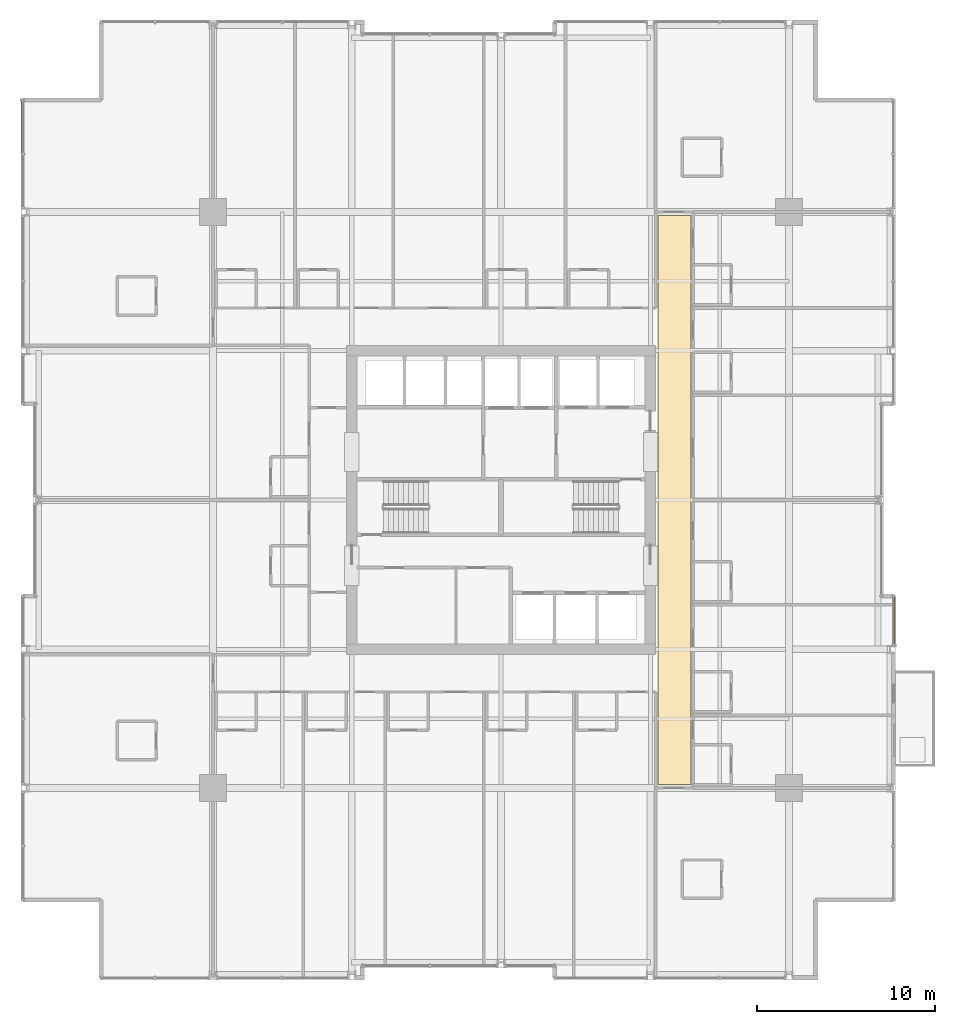
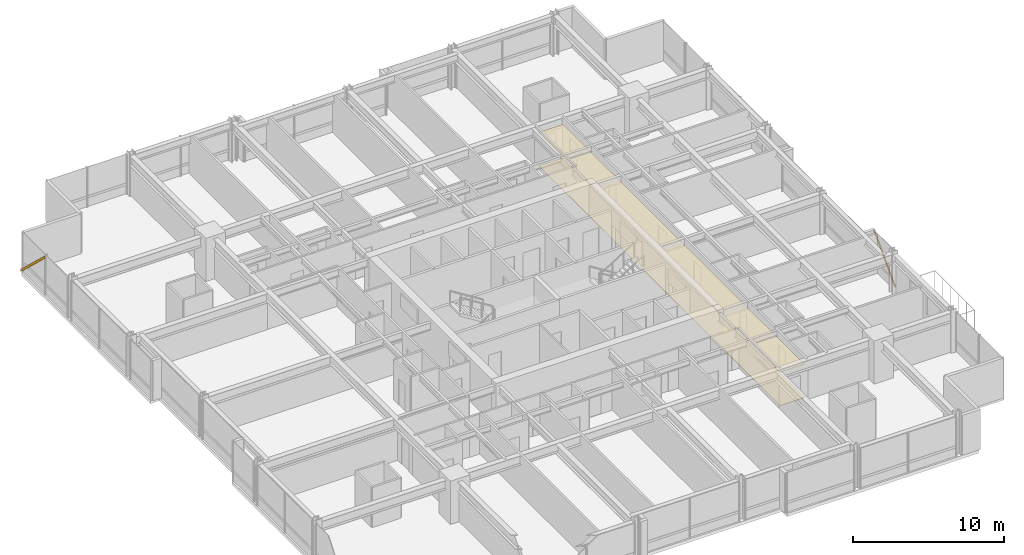
# One storey, part 34 of 34: 2 coverings, 2 shading devices.
"""IFC4 building model written with IfcOpenShell, lengths in metres."""

from ifc_helpers import new_model, si_unit, direction, frame, origin, origin_2d, place, context, subcontext, project, spatial, polyline, hollow_rectangle, outline, extrude, material, layer, layer_set, material_profile, profile_set, type_object, element, save


model = new_model("IFC4")

# Units and contexts
model_context = context("Model", 3, precision=1e-05, world=origin(), true_north=direction((0.0, 1.0)))
body_context = subcontext(model_context, "Body", "Model", "MODEL_VIEW")
ifc_project = project(units=[si_unit("LENGTHUNIT", "METRE"), si_unit("AREAUNIT", "SQUARE_METRE"), si_unit("VOLUMEUNIT", "CUBIC_METRE"), si_unit("PLANEANGLEUNIT", "RADIAN"), si_unit("MASSUNIT", "GRAM", prefix="KILO")], contexts=[model_context])

# Site, building, storey
site_placement = place(None, origin())
site = spatial("IfcSite", under=ifc_project, at=site_placement, CompositionType="ELEMENT")
building_placement = place(site_placement, origin())
building = spatial("IfcBuilding", under=site, at=building_placement, Name="Drelvath Grand Hotel", CompositionType="ELEMENT")
storey_placement = place(building_placement, frame((0.0, 0.0, 91.800048828125)))
storey = spatial("IfcBuildingStorey", under=building, at=storey_placement, Name="L22", CompositionType="ELEMENT", Elevation=91.800048828125)

# Shading devices
ifc_material_1 = material(Name="Champagne Bronze Anodised Aluminium", Category="aluminium")
ifc_material_profile = material_profile(ifc_material_1, hollow_rectangle(XDim=0.06494140625, YDim=0.159912109375, WallThickness=0.00390625, at=origin_2d()), Name="HSS160X65X4")
ifc_profile_set = profile_set([ifc_material_profile], Name="Champagne Bronze Anodised Aluminium")
shading_device_type = type_object("IfcShadingDeviceType", Name="Diagonal Solar Fin Champagne Anodised HSS160X65X4", PredefinedType="USERDEFINED", material=ifc_profile_set)
shading_device_1_placement = place(storey_placement, frame((-26.9599609375, 49.5, 0.179931640625), z_axis=(0.0, -0.72596953443, 0.68772686081), x_axis=(1.0, 0.0, 0.0)))
element("IfcShadingDevice", 1, at=shading_device_1_placement, inside=storey, type_object=shading_device_type, Name="L22 Diagonal Anodised Fin CW03-L22-WN3", ObjectType="FIN", PredefinedType="USERDEFINED", context=body_context, shape_type="SweptSolid", body=[
    extrude(hollow_rectangle(XDim=0.06494140625, YDim=0.159912109375, WallThickness=0.00390625, at=origin_2d()), origin(), (0.0, 0.0, 1.0), 4.18798828125),
])
shading_device_2_placement = place(storey_placement, frame((22.159912109375, 18.819580078125, 0.179931640625), z_axis=(0.0, 0.694556420652, 0.719438238163), x_axis=(-1.0, 0.0, 0.0)))
element("IfcShadingDevice", 2, at=shading_device_2_placement, inside=storey, type_object=shading_device_type, Name="L22 Diagonal Anodised Fin CW03-L22-ES3", ObjectType="FIN", PredefinedType="USERDEFINED", context=body_context, shape_type="SweptSolid", body=[
    extrude(hollow_rectangle(XDim=0.06494140625, YDim=0.159912109375, WallThickness=0.00390625, at=origin_2d()), origin(), (0.0, 0.0, 1.0), 4.00341796875),
])

# Coverings
ifc_material_2 = material(Name="Woven Wool Broadloom Carpet")
ifc_layer_1 = layer(ifc_material_2, 0.01806640625)
ifc_layer_set_1 = layer_set([ifc_layer_1], Name="Woven Wool Broadloom Carpet")
covering_type_1 = type_object("IfcCoveringType", Name="Hospitality Broadloom Carpet 18", PredefinedType="FLOORING", material=ifc_layer_set_1)
covering_1_placement = place(storey_placement, origin())
element("IfcCovering", 3, at=covering_1_placement, inside=storey, type_object=covering_type_1, Name="L22 East Spine Carpet", PredefinedType="FLOORING", context=body_context, shape_type="SweptSolid", body=[
    extrude(outline(polyline([(10.679931640625, 11.0), (10.679931640625, 43.0), (8.820068359375, 43.0), (8.820068359375, 11.0), (10.679931640625, 11.0)])), origin(), (0.0, 0.0, 1.0), 0.01806640625),
])
ifc_material_3 = material(Name="Anodised Aluminium Alloy", Category="aluminium")
ifc_layer_2 = layer(ifc_material_3, 0.0400390625)
ifc_layer_set_2 = layer_set([ifc_layer_2], Name="Anodised Aluminium Alloy")
covering_type_2 = type_object("IfcCoveringType", Name="Perforated Metal Corridor Ceiling 40", PredefinedType="CEILING", material=ifc_layer_set_2)
covering_2_placement = place(storey_placement, frame((0.0, 0.0, 2.68994140625)))
element("IfcCovering", 4, at=covering_2_placement, inside=storey, type_object=covering_type_2, Name="L22 East Spine Ceiling", PredefinedType="CEILING", context=body_context, shape_type="SweptSolid", body=[
    extrude(outline(polyline([(10.679931640625, 11.0), (10.679931640625, 43.0), (8.820068359375, 43.0), (8.820068359375, 11.0), (10.679931640625, 11.0)])), origin(), (0.0, 0.0, 1.0), 0.0400390625),
])

save(model, "model.ifc")
